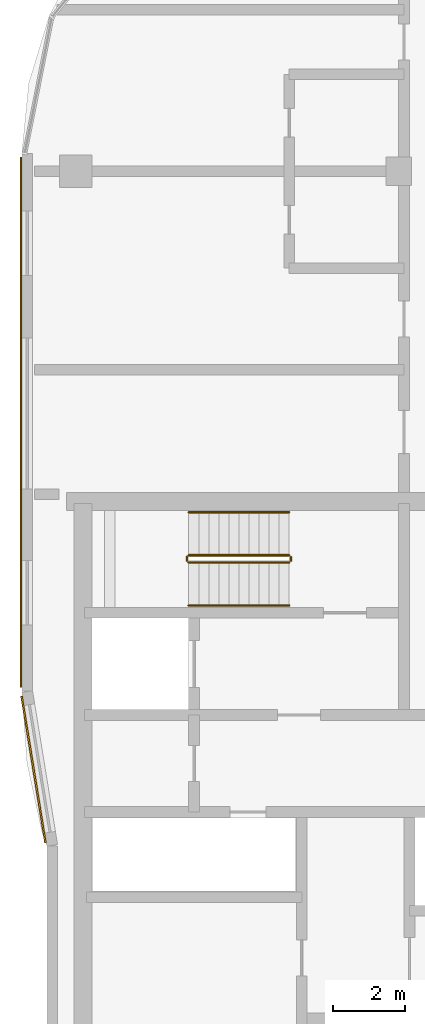
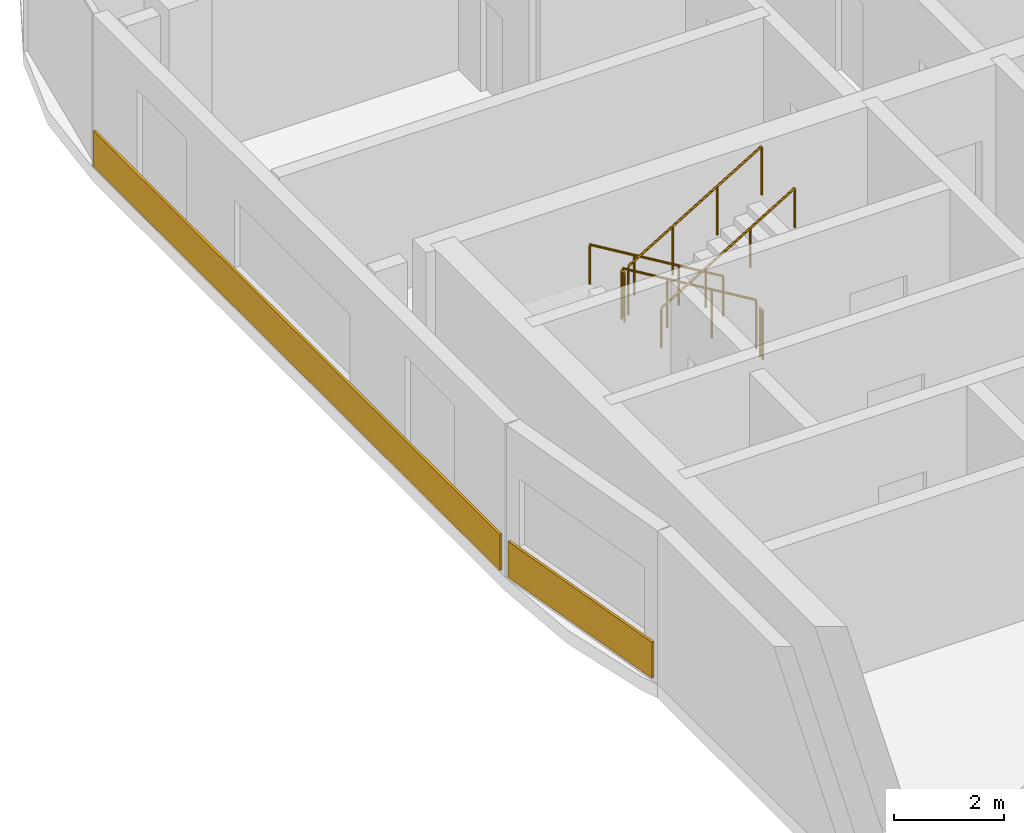
# One storey, part 16 of 19: 6 railings, 2 coverings.
"""IFC4 building model written with IfcOpenShell, lengths in metres."""

from ifc_helpers import new_model, si_unit, direction, frame, origin, origin_2d, place, context, subcontext, project, spatial, rectangle, circle, extrude, material, layer, layer_set, type_object, element, save


model = new_model("IFC4")

# Units and contexts
model_context = context("Model", 3, precision=1e-05, world=origin(), true_north=direction((0.0, 1.0)))
body_context = subcontext(model_context, "Body", "Model", "MODEL_VIEW")
ifc_project = project(units=[si_unit("LENGTHUNIT", "METRE"), si_unit("AREAUNIT", "SQUARE_METRE"), si_unit("VOLUMEUNIT", "CUBIC_METRE"), si_unit("PLANEANGLEUNIT", "RADIAN"), si_unit("MASSUNIT", "GRAM", prefix="KILO")], contexts=[model_context])

# Site, building, storey
site_placement = place(None, origin())
site = spatial("IfcSite", under=ifc_project, at=site_placement, CompositionType="ELEMENT")
building_placement = place(site_placement, origin())
building = spatial("IfcBuilding", under=site, at=building_placement, Name="Ogive Portal Towers", CompositionType="ELEMENT")
storey_placement = place(building_placement, frame((0.0, 0.0, 229.10009765625)))
storey = spatial("IfcBuildingStorey", under=building, at=storey_placement, Name="L57", CompositionType="ELEMENT", Elevation=229.10009765625)

# Railings
ifc_material_1 = material(Name="Stainless steel balustrade", Category="steel")
railing_type_1 = type_object("IfcRailingType", Name="INT-GUARD", PredefinedType="GUARDRAIL", material=ifc_material_1)
railing_1_placement = place(storey_placement, frame((37.449951171875, 37.800048828125, 0.16796875)))
element("IfcRailing", 1, at=railing_1_placement, inside=storey, type_object=railing_type_1, Name="L57 ST-A1 stair guard 1", PredefinedType="GUARDRAIL", context=body_context, shape_type="SweptSolid", body=[
    extrude(circle(Radius=0.02392578125, at=origin_2d()), frame((0.0, 0.0, 1.076171875), z_axis=(-0.857242210791, 0.0, 0.514913383045), x_axis=(0.0, -1.0, 0.0)), (0.0, 0.0, 1.0), 3.266357421875),
    extrude(circle(Radius=0.02099609375, at=origin_2d()), origin(), (0.0, 0.0, 1.0), 1.052001953125),
    extrude(circle(Radius=0.02099609375, at=origin_2d()), frame((-0.933349609375, 0.0, 0.560546875)), (0.0, 0.0, 1.0), 1.052001953125),
    extrude(circle(Radius=0.02099609375, at=origin_2d()), frame((-1.86669921875, 0.0, 1.121337890625)), (0.0, 0.0, 1.0), 1.052001953125),
    extrude(circle(Radius=0.02099609375, at=origin_2d()), frame((-2.800048828125, 0.0, 1.681884765625)), (0.0, 0.0, 1.0), 1.052001953125),
])
railing_2_placement = place(storey_placement, frame((34.60009765625, 37.75, 1.849853515625)))
element("IfcRailing", 2, at=railing_2_placement, inside=storey, type_object=railing_type_1, Name="L57 ST-A1 stair guard 2", PredefinedType="GUARDRAIL", context=body_context, shape_type="SweptSolid", body=[
    extrude(circle(Radius=0.02392578125, at=origin_2d()), frame((0.0, 0.0, 1.076171875), z_axis=(0.0, -1.0, 0.0), x_axis=(1.0, 0.0, 0.0)), (0.0, 0.0, 1.0), 0.10009765625),
    extrude(circle(Radius=0.02099609375, at=origin_2d()), origin(), (0.0, 0.0, 1.0), 1.052001953125),
    extrude(circle(Radius=0.02099609375, at=origin_2d()), frame((0.0, -0.10009765625, 0.0)), (0.0, 0.0, 1.0), 1.052001953125),
])
railing_3_placement = place(storey_placement, frame((34.64990234375, 37.60009765625, 2.01806640625)))
element("IfcRailing", 3, at=railing_3_placement, inside=storey, type_object=railing_type_1, Name="L57 ST-A1 stair guard 3", PredefinedType="GUARDRAIL", context=body_context, shape_type="SweptSolid", body=[
    extrude(circle(Radius=0.02392578125, at=origin_2d()), frame((0.0, 0.0, 1.076171875), z_axis=(0.857242210791, 0.0, 0.514913383045), x_axis=(0.0, 1.0, 0.0)), (0.0, 0.0, 1.0), 3.266357421875),
    extrude(circle(Radius=0.02099609375, at=origin_2d()), origin(), (0.0, 0.0, 1.0), 1.052001953125),
    extrude(circle(Radius=0.02099609375, at=origin_2d()), frame((0.933349609375, 0.0, 0.560546875)), (0.0, 0.0, 1.0), 1.052001953125),
    extrude(circle(Radius=0.02099609375, at=origin_2d()), frame((1.86669921875, 0.0, 1.121337890625)), (0.0, 0.0, 1.0), 1.052001953125),
    extrude(circle(Radius=0.02099609375, at=origin_2d()), frame((2.800048828125, 0.0, 1.681884765625)), (0.0, 0.0, 1.0), 1.052001953125),
])
railing_4_placement = place(storey_placement, frame((37.5, 37.75, 0.0)))
element("IfcRailing", 4, at=railing_4_placement, inside=storey, type_object=railing_type_1, Name="L57 ST-A1 stair guard 4", PredefinedType="GUARDRAIL", context=body_context, shape_type="SweptSolid", body=[
    extrude(circle(Radius=0.02392578125, at=origin_2d()), frame((0.0, 0.0, 1.076171875), z_axis=(0.0, -1.0, 0.0), x_axis=(1.0, 0.0, 0.0)), (0.0, 0.0, 1.0), 0.10009765625),
    extrude(circle(Radius=0.02099609375, at=origin_2d()), origin(), (0.0, 0.0, 1.0), 1.052001953125),
    extrude(circle(Radius=0.02099609375, at=origin_2d()), frame((0.0, -0.10009765625, 0.0)), (0.0, 0.0, 1.0), 1.052001953125),
])
ifc_material_2 = material(Name="Stainless steel handrail", Category="steel")
railing_type_2 = type_object("IfcRailingType", Name="INT-HANDRAIL", PredefinedType="HANDRAIL", material=ifc_material_2)
railing_5_placement = place(storey_placement, frame((37.449951171875, 39.0, 0.16796875)))
element("IfcRailing", 5, at=railing_5_placement, inside=storey, type_object=railing_type_2, Name="L57 ST-A1 stair handrail 1", PredefinedType="HANDRAIL", context=body_context, shape_type="SweptSolid", body=[
    extrude(circle(Radius=0.02392578125, at=origin_2d()), frame((0.0, 0.0, 0.8759765625), z_axis=(-0.857242210791, 0.0, 0.514913383045), x_axis=(0.0, -1.0, 0.0)), (0.0, 0.0, 1.0), 3.266357421875),
    extrude(circle(Radius=0.02099609375, at=origin_2d()), origin(), (0.0, 0.0, 1.0), 0.851806640625),
    extrude(circle(Radius=0.02099609375, at=origin_2d()), frame((-0.933349609375, 0.0, 0.560546875)), (0.0, 0.0, 1.0), 0.851806640625),
    extrude(circle(Radius=0.02099609375, at=origin_2d()), frame((-1.86669921875, 0.0, 1.121337890625)), (0.0, 0.0, 1.0), 0.851806640625),
    extrude(circle(Radius=0.02099609375, at=origin_2d()), frame((-2.800048828125, 0.0, 1.681884765625)), (0.0, 0.0, 1.0), 0.851806640625),
])
railing_6_placement = place(storey_placement, frame((34.64990234375, 36.39990234375, 2.01806640625)))
element("IfcRailing", 6, at=railing_6_placement, inside=storey, type_object=railing_type_2, Name="L57 ST-A1 stair handrail 2", PredefinedType="HANDRAIL", context=body_context, shape_type="SweptSolid", body=[
    extrude(circle(Radius=0.02392578125, at=origin_2d()), frame((0.0, 0.0, 0.8759765625), z_axis=(0.857242210791, 0.0, 0.514913383045), x_axis=(0.0, 1.0, 0.0)), (0.0, 0.0, 1.0), 3.266357421875),
    extrude(circle(Radius=0.02099609375, at=origin_2d()), origin(), (0.0, 0.0, 1.0), 0.851806640625),
    extrude(circle(Radius=0.02099609375, at=origin_2d()), frame((0.933349609375, 0.0, 0.560546875)), (0.0, 0.0, 1.0), 0.851806640625),
    extrude(circle(Radius=0.02099609375, at=origin_2d()), frame((1.86669921875, 0.0, 1.121337890625)), (0.0, 0.0, 1.0), 0.851806640625),
    extrude(circle(Radius=0.02099609375, at=origin_2d()), frame((2.800048828125, 0.0, 1.681884765625)), (0.0, 0.0, 1.0), 0.851806640625),
])

# Coverings
ifc_material_3 = material(Name="Limestone cladding on lightweight block wall", Category="masonry")
ifc_layer = layer(ifc_material_3, 0.050048828125)
ifc_layer_set = layer_set([ifc_layer], Name="SCREEN PERFORATED STONE")
covering_type = type_object("IfcCoveringType", Name="SCREEN PERFORATED STONE", PredefinedType="CLADDING", material=ifc_layer_set)
covering_1_placement = place(storey_placement, frame((29.97509765625, 41.50830078125, 0.10009765625), z_axis=(0.0, 0.0, 1.0), x_axis=(0.0, -1.0, 0.0)))
element("IfcCovering", 7, at=covering_1_placement, inside=storey, type_object=covering_type, Name="Tracery screen", PredefinedType="CLADDING", context=body_context, shape_type="SweptSolid", body=[
    extrude(rectangle(XDim=14.767822265625, YDim=0.050048828125, at=origin_2d()), origin(), (0.0, 0.0, 1.0), 0.800048828125),
])
covering_2_placement = place(storey_placement, frame((30.327392578125, 31.833740234375, 0.10009765625), z_axis=(0.0, 0.0, 1.0), x_axis=(0.160654533408, -0.987010699484, 0.0)))
element("IfcCovering", 8, at=covering_2_placement, inside=storey, type_object=covering_type, Name="Tracery screen", PredefinedType="CLADDING", context=body_context, shape_type="SweptSolid", body=[
    extrude(rectangle(XDim=4.1328125, YDim=0.050048828125, at=origin_2d()), origin(), (0.0, 0.0, 1.0), 0.800048828125),
])

save(model, "model.ifc")
